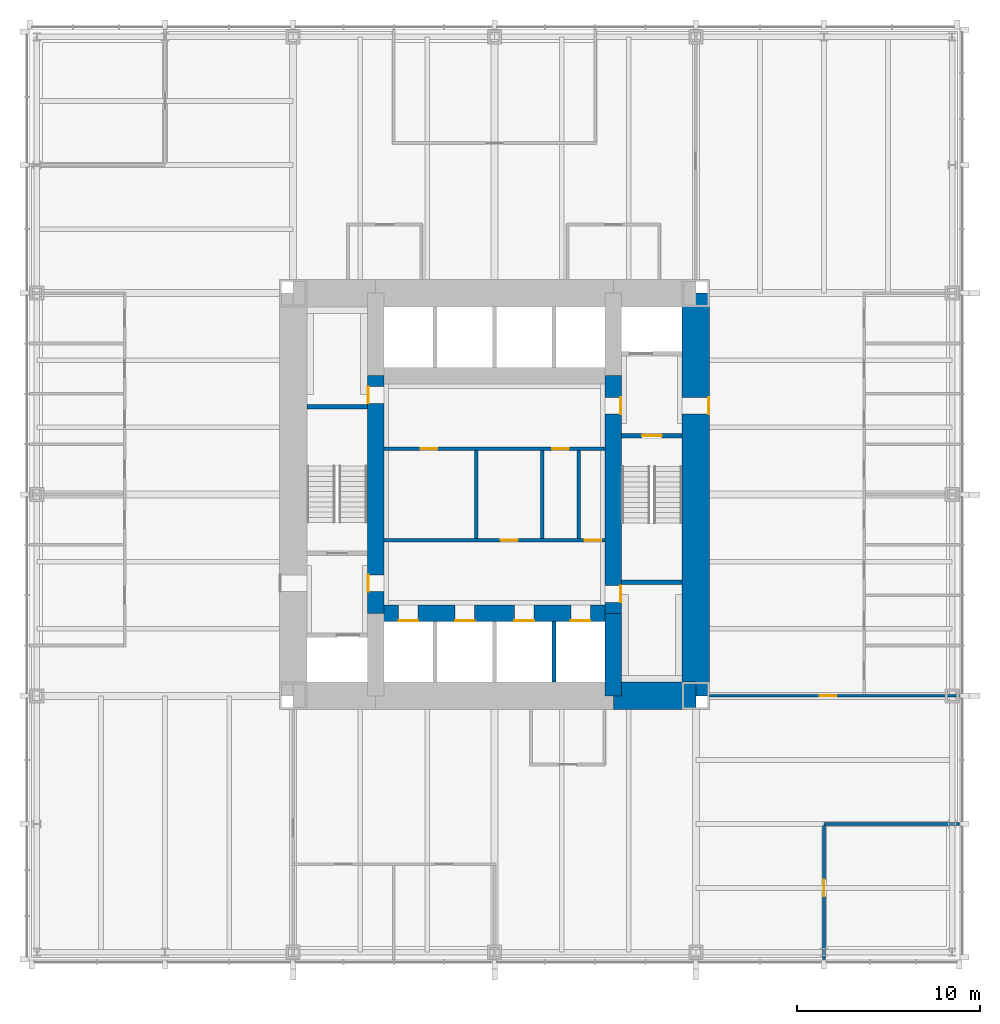
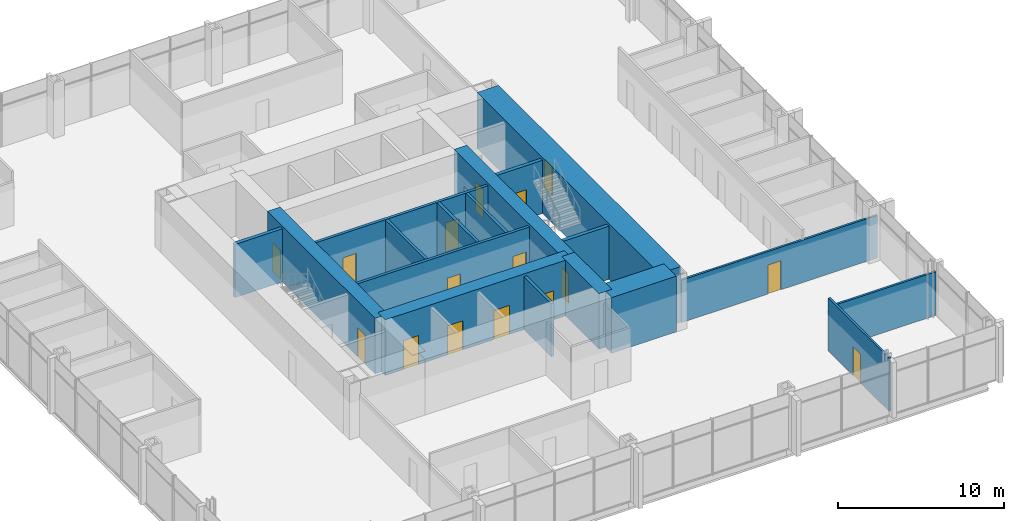
# One storey, part 10 of 13: 18 walls, 16 doors, 16 openings.
"""IFC4 building model written with IfcOpenShell, lengths in metres."""

from ifc_helpers import new_model, si_unit, direction, frame, frame_2d, origin, place, context, subcontext, project, spatial, rectangle, extrude, material, layer, layer_set, type_object, element, fill, save


model = new_model("IFC4")

# Units and contexts
model_context = context("Model", 3, precision=1e-05, world=origin(), true_north=direction((0.0, 1.0)))
body_context = subcontext(model_context, "Body", "Model", "MODEL_VIEW")
ifc_project = project(units=[si_unit("LENGTHUNIT", "METRE"), si_unit("AREAUNIT", "SQUARE_METRE"), si_unit("VOLUMEUNIT", "CUBIC_METRE"), si_unit("PLANEANGLEUNIT", "RADIAN"), si_unit("MASSUNIT", "GRAM", prefix="KILO")], contexts=[model_context])

# Site, building, storey
site_placement = place(None, origin())
site = spatial("IfcSite", under=ifc_project, at=site_placement, CompositionType="ELEMENT")
building_placement = place(site_placement, origin())
building = spatial("IfcBuilding", under=site, at=building_placement, Name="Trevanion Tower", CompositionType="ELEMENT")
storey_placement = place(building_placement, frame((0.0, 0.0, 81.60009765625)))
storey = spatial("IfcBuildingStorey", under=building, at=storey_placement, Name="L19", CompositionType="ELEMENT", Elevation=81.60009765625)

# Wall, opening, door
ifc_material_1 = material(Name="Concrete 10,000 psi", Category="concrete")
ifc_layer_1 = layer(ifc_material_1, 1.5)
ifc_layer_set_1 = layer_set([ifc_layer_1], Name="CW1 core wall 1500")
wall_type_1 = type_object("IfcWallType", Name="CW1 core wall 1500", PredefinedType="SHEAR", material=ifc_layer_set_1)
wall_1_placement = place(storey_placement, frame((11.0, -11.0, 0.0), z_axis=(0.0, 0.0, 1.0), x_axis=(0.0, 1.0, 0.0)))
wall_1 = element("IfcWall", 1, at=wall_1_placement, inside=storey, type_object=wall_type_1, Name="CW1 CE L19", PredefinedType="SHEAR", context=body_context, shape_type="SweptSolid", body=[
    extrude(rectangle(XDim=22.0, YDim=1.5, at=frame_2d((11.0, 0.0))), origin(), (0.0, 0.0, 1.0), 4.099853515625),
])
opening_1_placement = place(wall_1_placement, frame((15.392578125, 0.0, 0.0)))
opening_1 = element("IfcOpeningElement", 2, at=opening_1_placement, cuts=wall_1, Name="Opening 19-001", PredefinedType="OPENING", context=body_context, shape_type="SweptSolid", body=[
    extrude(rectangle(XDim=0.9150390625, YDim=2.134033203125, at=frame_2d((0.45751953125, 1.06689453125))), frame((0.0, 0.760009765625, 0.0), z_axis=(0.0, -1.0, 0.0), x_axis=(1.0, 0.0, 0.0)), (0.0, 0.0, 1.0), 1.52001953125),
])
ifc_material_2 = material(Name="Hollow metal, fire rated", Category="steel")
door_type_1 = type_object("IfcDoorType", Name="D3 fire lift lobby door", OperationType="SINGLE_SWING_RIGHT", PredefinedType="DOOR", material=ifc_material_2)
door_1_placement = place(opening_1_placement, origin())
door_1 = element("IfcDoor", 3, at=door_1_placement, inside=storey, type_object=door_type_1, Name="Door 19-001", OperationType="SINGLE_SWING_RIGHT", OverallHeight=2.134033203125, OverallWidth=0.9150390625, PredefinedType="DOOR", context=body_context, shape_type="SweptSolid", body=[
    extrude(rectangle(XDim=0.9150390625, YDim=2.134033203125, at=frame_2d((0.45751953125, 1.06689453125))), frame((0.0, -0.6748046875, 0.0), z_axis=(0.0, -1.0, 0.0), x_axis=(1.0, 0.0, 0.0)), (0.0, 0.0, 1.0), 0.050048828125),
])
fill(opening_1, door_1)

# Walls
wall_2_placement = place(storey_placement, frame((6.5, -11.0, 0.0), z_axis=(0.0, 0.0, 1.0), x_axis=(1.0, 0.0, 0.0)))
element("IfcWall", 4, at=wall_2_placement, inside=storey, type_object=wall_type_1, Name="CW1 CS3 L19", PredefinedType="SHEAR", context=body_context, shape_type="SweptSolid", body=[
    extrude(rectangle(XDim=4.5, YDim=1.5, at=frame_2d((2.25, 0.0))), origin(), (0.0, 0.0, 1.0), 4.099853515625),
])
ifc_material_3 = material(Name="Concrete 10,000 psi", Category="concrete")
ifc_layer_2 = layer(ifc_material_3, 0.89990234375)
ifc_layer_set_2 = layer_set([ifc_layer_2], Name="CW2 core wall 900")
wall_type_2 = type_object("IfcWallType", Name="CW2 core wall 900", PredefinedType="SHEAR", material=ifc_layer_set_2)
wall_3_placement = place(storey_placement, frame((6.5, -11.0, 0.0), z_axis=(0.0, 0.0, 1.0), x_axis=(0.0, 1.0, 0.0)))
element("IfcWall", 5, at=wall_3_placement, inside=storey, type_object=wall_type_2, Name="CW2 RE1 L19", PredefinedType="SHEAR", context=body_context, shape_type="SweptSolid", body=[
    extrude(rectangle(XDim=4.5, YDim=0.89990234375, at=frame_2d((2.25, 0.0))), origin(), (0.0, 0.0, 1.0), 4.099853515625),
])

# Wall, openings, doors
wall_4_placement = place(storey_placement, frame((6.5, -6.5, 0.0), z_axis=(0.0, 0.0, 1.0), x_axis=(0.0, 1.0, 0.0)))
wall_4 = element("IfcWall", 6, at=wall_4_placement, inside=storey, type_object=wall_type_2, Name="CW2 RE2 L19", PredefinedType="SHEAR", context=body_context, shape_type="SweptSolid", body=[
    extrude(rectangle(XDim=13.0, YDim=0.89990234375, at=frame_2d((6.5, 0.0))), origin(), (0.0, 0.0, 1.0), 4.099853515625),
])
opening_2_placement = place(wall_4_placement, frame((10.892578125, 0.0, 0.0)))
opening_2 = element("IfcOpeningElement", 7, at=opening_2_placement, cuts=wall_4, Name="Opening 19-003", PredefinedType="OPENING", context=body_context, shape_type="SweptSolid", body=[
    extrude(rectangle(XDim=0.9150390625, YDim=2.134033203125, at=frame_2d((0.45751953125, 1.06689453125))), frame((0.0, 0.4599609375, 0.0), z_axis=(0.0, -1.0, 0.0), x_axis=(1.0, 0.0, 0.0)), (0.0, 0.0, 1.0), 0.919921875),
])
opening_3_placement = place(wall_4_placement, frame((0.610107421875, 0.0, 0.0)))
opening_3 = element("IfcOpeningElement", 8, at=opening_3_placement, cuts=wall_4, Name="Opening 19-009", PredefinedType="OPENING", context=body_context, shape_type="SweptSolid", body=[
    extrude(rectangle(XDim=0.9150390625, YDim=2.134033203125, at=frame_2d((0.45751953125, 1.06689453125))), frame((0.0, 0.4599609375, 0.0), z_axis=(0.0, -1.0, 0.0), x_axis=(1.0, 0.0, 0.0)), (0.0, 0.0, 1.0), 0.919921875),
])
door_2_placement = place(opening_2_placement, origin())
door_2 = element("IfcDoor", 9, at=door_2_placement, inside=storey, type_object=door_type_1, Name="Door 19-003", OperationType="SINGLE_SWING_RIGHT", OverallHeight=2.134033203125, OverallWidth=0.9150390625, PredefinedType="DOOR", context=body_context, shape_type="SweptSolid", body=[
    extrude(rectangle(XDim=0.9150390625, YDim=2.134033203125, at=frame_2d((0.45751953125, 1.06689453125))), frame((0.0, -0.375, 0.0), z_axis=(0.0, -1.0, 0.0), x_axis=(1.0, 0.0, 0.0)), (0.0, 0.0, 1.0), 0.050048828125),
])
fill(opening_2, door_2)
ifc_material_4 = material(Name="Hollow metal, fire rated", Category="steel")
door_type_2 = type_object("IfcDoorType", Name="D5 service room door", OperationType="SINGLE_SWING_RIGHT", PredefinedType="DOOR", material=ifc_material_4)
door_3_placement = place(opening_3_placement, origin())
door_3 = element("IfcDoor", 10, at=door_3_placement, inside=storey, type_object=door_type_2, Name="Door 19-009", OperationType="SINGLE_SWING_RIGHT", OverallHeight=2.134033203125, OverallWidth=0.9150390625, PredefinedType="DOOR", context=body_context, shape_type="SweptSolid", body=[
    extrude(rectangle(XDim=0.9150390625, YDim=2.134033203125, at=frame_2d((0.45751953125, 1.06689453125))), frame((0.0, -0.375, 0.0), z_axis=(0.0, -1.0, 0.0), x_axis=(1.0, 0.0, 0.0)), (0.0, 0.0, 1.0), 0.050048828125),
])
fill(opening_3, door_3)

wall_5_placement = place(storey_placement, frame((-6.5, 6.5, 0.0), z_axis=(0.0, 0.0, 1.0), x_axis=(0.0, -1.0, 0.0)))
wall_5 = element("IfcWall", 11, at=wall_5_placement, inside=storey, type_object=wall_type_2, Name="CW2 RW2 L19", PredefinedType="SHEAR", context=body_context, shape_type="SweptSolid", body=[
    extrude(rectangle(XDim=13.0, YDim=0.89990234375, at=frame_2d((6.5, 0.0))), origin(), (0.0, 0.0, 1.0), 4.099853515625),
])
opening_4_placement = place(wall_5_placement, frame((10.892578125, 0.0, 0.0)))
opening_4 = element("IfcOpeningElement", 12, at=opening_4_placement, cuts=wall_5, Name="Opening 19-004", PredefinedType="OPENING", context=body_context, shape_type="SweptSolid", body=[
    extrude(rectangle(XDim=0.9150390625, YDim=2.134033203125, at=frame_2d((0.45751953125, 1.06689453125))), frame((0.0, 0.4599609375, 0.0), z_axis=(0.0, -1.0, 0.0), x_axis=(1.0, 0.0, 0.0)), (0.0, 0.0, 1.0), 0.919921875),
])
opening_5_placement = place(wall_5_placement, frame((0.610107421875, 0.0, 0.0)))
opening_5 = element("IfcOpeningElement", 13, at=opening_5_placement, cuts=wall_5, Name="Opening 19-010", PredefinedType="OPENING", context=body_context, shape_type="SweptSolid", body=[
    extrude(rectangle(XDim=0.9150390625, YDim=2.134033203125, at=frame_2d((0.45751953125, 1.06689453125))), frame((0.0, 0.4599609375, 0.0), z_axis=(0.0, -1.0, 0.0), x_axis=(1.0, 0.0, 0.0)), (0.0, 0.0, 1.0), 0.919921875),
])
door_4_placement = place(opening_4_placement, origin())
door_4 = element("IfcDoor", 14, at=door_4_placement, inside=storey, type_object=door_type_1, Name="Door 19-004", OperationType="SINGLE_SWING_RIGHT", OverallHeight=2.134033203125, OverallWidth=0.9150390625, PredefinedType="DOOR", context=body_context, shape_type="SweptSolid", body=[
    extrude(rectangle(XDim=0.9150390625, YDim=2.134033203125, at=frame_2d((0.45751953125, 1.06689453125))), frame((0.0, -0.375, 0.0), z_axis=(0.0, -1.0, 0.0), x_axis=(1.0, 0.0, 0.0)), (0.0, 0.0, 1.0), 0.050048828125),
])
fill(opening_4, door_4)
door_5_placement = place(opening_5_placement, origin())
door_5 = element("IfcDoor", 15, at=door_5_placement, inside=storey, type_object=door_type_2, Name="Door 19-010", OperationType="SINGLE_SWING_RIGHT", OverallHeight=2.134033203125, OverallWidth=0.9150390625, PredefinedType="DOOR", context=body_context, shape_type="SweptSolid", body=[
    extrude(rectangle(XDim=0.9150390625, YDim=2.134033203125, at=frame_2d((0.45751953125, 1.06689453125))), frame((0.0, -0.375, 0.0), z_axis=(0.0, -1.0, 0.0), x_axis=(1.0, 0.0, 0.0)), (0.0, 0.0, 1.0), 0.050048828125),
])
fill(opening_5, door_5)

wall_6_placement = place(storey_placement, frame((-6.5, -6.5, 0.0), z_axis=(0.0, 0.0, 1.0), x_axis=(1.0, 0.0, 0.0)))
wall_6 = element("IfcWall", 16, at=wall_6_placement, inside=storey, type_object=wall_type_2, Name="CW2 RS L19", PredefinedType="SHEAR", context=body_context, shape_type="SweptSolid", body=[
    extrude(rectangle(XDim=13.0, YDim=0.89990234375, at=frame_2d((6.5, 0.0))), origin(), (0.0, 0.0, 1.0), 4.099853515625),
])
opening_6_placement = place(wall_6_placement, frame((1.2666015625, 0.0, 0.0)))
opening_6 = element("IfcOpeningElement", 17, at=opening_6_placement, cuts=wall_6, Name="Opening 19-011", PredefinedType="OPENING", context=body_context, shape_type="SweptSolid", body=[
    extrude(rectangle(XDim=1.06689453125, YDim=2.134033203125, at=frame_2d((0.533447265625, 1.06689453125))), frame((0.0, 0.4599609375, 0.0), z_axis=(0.0, -1.0, 0.0), x_axis=(1.0, 0.0, 0.0)), (0.0, 0.0, 1.0), 0.919921875),
])
opening_7_placement = place(wall_6_placement, frame((4.341552734375, 0.0, 0.0)))
opening_7 = element("IfcOpeningElement", 18, at=opening_7_placement, cuts=wall_6, Name="Opening 19-012", PredefinedType="OPENING", context=body_context, shape_type="SweptSolid", body=[
    extrude(rectangle(XDim=1.06689453125, YDim=2.134033203125, at=frame_2d((0.533447265625, 1.06689453125))), frame((0.0, 0.4599609375, 0.0), z_axis=(0.0, -1.0, 0.0), x_axis=(1.0, 0.0, 0.0)), (0.0, 0.0, 1.0), 0.919921875),
])
opening_8_placement = place(wall_6_placement, frame((7.591552734375, 0.0, 0.0)))
opening_8 = element("IfcOpeningElement", 19, at=opening_8_placement, cuts=wall_6, Name="Opening 19-013", PredefinedType="OPENING", context=body_context, shape_type="SweptSolid", body=[
    extrude(rectangle(XDim=1.06689453125, YDim=2.134033203125, at=frame_2d((0.533447265625, 1.06689453125))), frame((0.0, 0.4599609375, 0.0), z_axis=(0.0, -1.0, 0.0), x_axis=(1.0, 0.0, 0.0)), (0.0, 0.0, 1.0), 0.919921875),
])
opening_9_placement = place(wall_6_placement, frame((10.66650390625, 0.0, 0.0)))
opening_9 = element("IfcOpeningElement", 20, at=opening_9_placement, cuts=wall_6, Name="Opening 19-014", PredefinedType="OPENING", context=body_context, shape_type="SweptSolid", body=[
    extrude(rectangle(XDim=1.06689453125, YDim=2.134033203125, at=frame_2d((0.533447265625, 1.06689453125))), frame((0.0, 0.4599609375, 0.0), z_axis=(0.0, -1.0, 0.0), x_axis=(1.0, 0.0, 0.0)), (0.0, 0.0, 1.0), 0.919921875),
])
ifc_material_5 = material(Name="Stainless steel, fire rated", Category="steel")
door_type_3 = type_object("IfcDoorType", Name="LD1 lift landing door", OperationType="SLIDING_TO_LEFT", PredefinedType="DOOR", material=ifc_material_5)
door_6_placement = place(opening_6_placement, origin())
door_6 = element("IfcDoor", 21, at=door_6_placement, inside=storey, type_object=door_type_3, Name="Door 19-011", OperationType="SLIDING_TO_LEFT", OverallHeight=2.134033203125, OverallWidth=1.06689453125, PredefinedType="DOOR", context=body_context, shape_type="SweptSolid", body=[
    extrude(rectangle(XDim=1.06689453125, YDim=2.134033203125, at=frame_2d((0.533447265625, 1.06689453125))), frame((0.0, -0.375, 0.0), z_axis=(0.0, -1.0, 0.0), x_axis=(1.0, 0.0, 0.0)), (0.0, 0.0, 1.0), 0.050048828125),
])
fill(opening_6, door_6)
door_7_placement = place(opening_7_placement, origin())
door_7 = element("IfcDoor", 22, at=door_7_placement, inside=storey, type_object=door_type_3, Name="Door 19-012", OperationType="SLIDING_TO_LEFT", OverallHeight=2.134033203125, OverallWidth=1.06689453125, PredefinedType="DOOR", context=body_context, shape_type="SweptSolid", body=[
    extrude(rectangle(XDim=1.06689453125, YDim=2.134033203125, at=frame_2d((0.533447265625, 1.06689453125))), frame((0.0, -0.375, 0.0), z_axis=(0.0, -1.0, 0.0), x_axis=(1.0, 0.0, 0.0)), (0.0, 0.0, 1.0), 0.050048828125),
])
fill(opening_7, door_7)
door_8_placement = place(opening_8_placement, origin())
door_8 = element("IfcDoor", 23, at=door_8_placement, inside=storey, type_object=door_type_3, Name="Door 19-013", OperationType="SLIDING_TO_LEFT", OverallHeight=2.134033203125, OverallWidth=1.06689453125, PredefinedType="DOOR", context=body_context, shape_type="SweptSolid", body=[
    extrude(rectangle(XDim=1.06689453125, YDim=2.134033203125, at=frame_2d((0.533447265625, 1.06689453125))), frame((0.0, -0.375, 0.0), z_axis=(0.0, -1.0, 0.0), x_axis=(1.0, 0.0, 0.0)), (0.0, 0.0, 1.0), 0.050048828125),
])
fill(opening_8, door_8)
door_9_placement = place(opening_9_placement, origin())
door_9 = element("IfcDoor", 24, at=door_9_placement, inside=storey, type_object=door_type_3, Name="Door 19-014", OperationType="SLIDING_TO_LEFT", OverallHeight=2.134033203125, OverallWidth=1.06689453125, PredefinedType="DOOR", context=body_context, shape_type="SweptSolid", body=[
    extrude(rectangle(XDim=1.06689453125, YDim=2.134033203125, at=frame_2d((0.533447265625, 1.06689453125))), frame((0.0, -0.375, 0.0), z_axis=(0.0, -1.0, 0.0), x_axis=(1.0, 0.0, 0.0)), (0.0, 0.0, 1.0), 0.050048828125),
])
fill(opening_9, door_9)

# Wall, opening, door
ifc_material_6 = material(Name="Gypsum board on steel studs", Category="steel")
ifc_layer_3 = layer(ifc_material_6, 0.14990234375)
ifc_layer_set_3 = layer_set([ifc_layer_3], Name="PT1 partition 150")
wall_type_3 = type_object("IfcWallType", Name="PT1 partition 150", PredefinedType="PARTITIONING", material=ifc_layer_set_3)
wall_7_placement = place(storey_placement, frame((11.75, -11.0, 0.0), z_axis=(0.0, 0.0, 1.0), x_axis=(1.0, 0.0, 0.0)))
wall_7 = element("IfcWall", 25, at=wall_7_placement, inside=storey, type_object=wall_type_3, Name="PT1 L19 ZW3", PredefinedType="PARTITIONING", context=body_context, shape_type="SweptSolid", body=[
    extrude(rectangle(XDim=13.6650390625, YDim=0.14990234375, at=frame_2d((6.83251953125, 0.0))), origin(), (0.0, 0.0, 1.0), 3.130126953125),
])
opening_10_placement = place(wall_7_placement, frame((6.017578125, 0.0, 0.0)))
opening_10 = element("IfcOpeningElement", 26, at=opening_10_placement, cuts=wall_7, Name="Opening 19-021", PredefinedType="OPENING", context=body_context, shape_type="SweptSolid", body=[
    extrude(rectangle(XDim=0.9150390625, YDim=2.134033203125, at=frame_2d((0.45751953125, 1.06689453125))), frame((0.0, 0.0849609375, 0.0), z_axis=(0.0, -1.0, 0.0), x_axis=(1.0, 0.0, 0.0)), (0.0, 0.0, 1.0), 0.169921875),
])
ifc_material_7 = material(Name="Timber veneer, solid core", Category="wood")
door_type_4 = type_object("IfcDoorType", Name="D1 office and meeting room door", OperationType="SINGLE_SWING_LEFT", PredefinedType="DOOR", material=ifc_material_7)
door_10_placement = place(opening_10_placement, origin())
door_10 = element("IfcDoor", 27, at=door_10_placement, inside=storey, type_object=door_type_4, Name="Door 19-021", OperationType="SINGLE_SWING_LEFT", OverallHeight=2.134033203125, OverallWidth=0.9150390625, PredefinedType="DOOR", context=body_context, shape_type="SweptSolid", body=[
    extrude(rectangle(XDim=0.9150390625, YDim=2.134033203125, at=frame_2d((0.45751953125, 1.06689453125))), frame((0.0, 0.02490234375, 0.0), z_axis=(0.0, -1.0, 0.0), x_axis=(1.0, 0.0, 0.0)), (0.0, 0.0, 1.0), 0.050048828125),
])
fill(opening_10, door_10)

# Wall
wall_8_placement = place(storey_placement, frame((18.0, -18.0, 0.0), z_axis=(0.0, 0.0, 1.0), x_axis=(1.0, 0.0, 0.0)))
element("IfcWall", 28, at=wall_8_placement, inside=storey, type_object=wall_type_3, Name="PT1 L19 KW3a", PredefinedType="PARTITIONING", context=body_context, shape_type="SweptSolid", body=[
    extrude(rectangle(XDim=7.4150390625, YDim=0.14990234375, at=frame_2d((3.70751953125, 0.0))), origin(), (0.0, 0.0, 1.0), 3.216552734375),
])

# Wall, opening, door
wall_9_placement = place(storey_placement, frame((18.0, -18.074951171875, 0.0), z_axis=(0.0, 0.0, 1.0), x_axis=(0.0, -1.0, 0.0)))
wall_9 = element("IfcWall", 29, at=wall_9_placement, inside=storey, type_object=wall_type_3, Name="PT1 L19 KW3b", PredefinedType="PARTITIONING", context=body_context, shape_type="SweptSolid", body=[
    extrude(rectangle(XDim=7.340087890625, YDim=0.14990234375, at=frame_2d((3.669921875, 0.0))), origin(), (0.0, 0.0, 1.0), 3.909912109375),
])
opening_11_placement = place(wall_9_placement, frame((2.967529296875, 0.0, 0.0)))
opening_11 = element("IfcOpeningElement", 30, at=opening_11_placement, cuts=wall_9, Name="Opening 19-023", PredefinedType="OPENING", context=body_context, shape_type="SweptSolid", body=[
    extrude(rectangle(XDim=0.9150390625, YDim=2.134033203125, at=frame_2d((0.45751953125, 1.06689453125))), frame((0.0, 0.0849609375, 0.0), z_axis=(0.0, -1.0, 0.0), x_axis=(1.0, 0.0, 0.0)), (0.0, 0.0, 1.0), 0.169921875),
])
door_11_placement = place(opening_11_placement, origin())
door_11 = element("IfcDoor", 31, at=door_11_placement, inside=storey, type_object=door_type_4, Name="Door 19-023", OperationType="SINGLE_SWING_LEFT", OverallHeight=2.134033203125, OverallWidth=0.9150390625, PredefinedType="DOOR", context=body_context, shape_type="SweptSolid", body=[
    extrude(rectangle(XDim=0.9150390625, YDim=2.134033203125, at=frame_2d((0.45751953125, 1.06689453125))), frame((0.0, 0.02490234375, 0.0), z_axis=(0.0, -1.0, 0.0), x_axis=(1.0, 0.0, 0.0)), (0.0, 0.0, 1.0), 0.050048828125),
])
fill(opening_11, door_11)

# Walls
ifc_material_8 = material(Name="Concrete masonry, grouted", Category="masonry")
ifc_layer_4 = layer(ifc_material_8, 0.199951171875)
ifc_layer_set_4 = layer_set([ifc_layer_4], Name="PT2 partition 200")
wall_type_4 = type_object("IfcWallType", Name="PT2 partition 200", PredefinedType="PARTITIONING", material=ifc_layer_set_4)
for number, where, z_axis, x_axis, name in (
    (32, (-1.0, -2.39990234375, 0.0), (0.0, 0.0, 1.0), (0.0, 1.0, 0.0), "PT2 L19 TP1"),
    (33, (2.60009765625, -2.39990234375, 0.0), (0.0, 0.0, 1.0), (0.0, 1.0, 0.0), "PT2 L19 TP2"),
    (34, (4.60009765625, -2.39990234375, 0.0), (0.0, 0.0, 1.0), (0.0, 1.0, 0.0), "PT2 L19 TP3"),
):
    element("IfcWall", number, at=place(storey_placement, frame(where, z_axis=z_axis, x_axis=x_axis)), inside=storey, type_object=wall_type_4, Name=name, PredefinedType="PARTITIONING", context=body_context, shape_type="SweptSolid", body=[
        extrude(rectangle(XDim=4.7998046875, YDim=0.199951171875, at=frame_2d((2.39990234375, 0.0))), origin(), (0.0, 0.0, 1.0), 3.909912109375),
    ])

# Wall, openings, doors
ifc_material_9 = material(Name="Concrete masonry, grouted", Category="masonry")
ifc_layer_5 = layer(ifc_material_9, 0.199951171875)
ifc_layer_set_5 = layer_set([ifc_layer_5], Name="PT2 partition 200 1 HR")
wall_type_5 = type_object("IfcWallType", Name="PT2 partition 200 1 HR", PredefinedType="PARTITIONING", material=ifc_layer_set_5)
wall_10_placement = place(storey_placement, frame((-6.050048828125, 2.5, 0.0), z_axis=(0.0, 0.0, 1.0), x_axis=(1.0, 0.0, 0.0)))
wall_10 = element("IfcWall", 35, at=wall_10_placement, inside=storey, type_object=wall_type_5, Name="PT2 L19 CP1", PredefinedType="PARTITIONING", context=body_context, shape_type="SweptSolid", body=[
    extrude(rectangle(XDim=12.10009765625, YDim=0.199951171875, at=frame_2d((6.050048828125, 0.0))), origin(), (0.0, 0.0, 1.0), 3.909912109375),
])
opening_12_placement = place(wall_10_placement, frame((2.017578125, 0.0, 0.0)))
opening_12 = element("IfcOpeningElement", 36, at=opening_12_placement, cuts=wall_10, Name="Opening 19-015", PredefinedType="OPENING", context=body_context, shape_type="SweptSolid", body=[
    extrude(rectangle(XDim=0.9150390625, YDim=2.134033203125, at=frame_2d((0.45751953125, 1.06689453125))), frame((0.0, 0.10986328125, 0.0), z_axis=(0.0, -1.0, 0.0), x_axis=(1.0, 0.0, 0.0)), (0.0, 0.0, 1.0), 0.219970703125),
])
opening_13_placement = place(wall_10_placement, frame((9.1923828125, 0.0, 0.0)))
opening_13 = element("IfcOpeningElement", 37, at=opening_13_placement, cuts=wall_10, Name="Opening 19-017", PredefinedType="OPENING", context=body_context, shape_type="SweptSolid", body=[
    extrude(rectangle(XDim=0.9150390625, YDim=2.134033203125, at=frame_2d((0.45751953125, 1.06689453125))), frame((0.0, 0.10986328125, 0.0), z_axis=(0.0, -1.0, 0.0), x_axis=(1.0, 0.0, 0.0)), (0.0, 0.0, 1.0), 0.219970703125),
])
ifc_material_10 = material(Name="Plastic laminate on fire-rated core", Category="wood")
door_type_5 = type_object("IfcDoorType", Name="D12 toilet door in a one hour wall", OperationType="SINGLE_SWING_LEFT", PredefinedType="DOOR", material=ifc_material_10)
door_12_placement = place(opening_12_placement, origin())
door_12 = element("IfcDoor", 38, at=door_12_placement, inside=storey, type_object=door_type_5, Name="Door 19-015", OperationType="SINGLE_SWING_LEFT", OverallHeight=2.134033203125, OverallWidth=0.9150390625, PredefinedType="DOOR", context=body_context, shape_type="SweptSolid", body=[
    extrude(rectangle(XDim=0.9150390625, YDim=2.134033203125, at=frame_2d((0.45751953125, 1.06689453125))), frame((0.0, 0.02490234375, 0.0), z_axis=(0.0, -1.0, 0.0), x_axis=(1.0, 0.0, 0.0)), (0.0, 0.0, 1.0), 0.050048828125),
])
fill(opening_12, door_12)
door_13_placement = place(opening_13_placement, origin())
door_13 = element("IfcDoor", 39, at=door_13_placement, inside=storey, type_object=door_type_5, Name="Door 19-017", OperationType="SINGLE_SWING_LEFT", OverallHeight=2.134033203125, OverallWidth=0.9150390625, PredefinedType="DOOR", context=body_context, shape_type="SweptSolid", body=[
    extrude(rectangle(XDim=0.9150390625, YDim=2.134033203125, at=frame_2d((0.45751953125, 1.06689453125))), frame((0.0, 0.02490234375, 0.0), z_axis=(0.0, -1.0, 0.0), x_axis=(1.0, 0.0, 0.0)), (0.0, 0.0, 1.0), 0.050048828125),
])
fill(opening_13, door_13)

wall_11_placement = place(storey_placement, frame((6.050048828125, -2.5, 0.0), z_axis=(0.0, 0.0, 1.0), x_axis=(-1.0, 0.0, 0.0)))
wall_11 = element("IfcWall", 40, at=wall_11_placement, inside=storey, type_object=wall_type_5, Name="PT2 L19 CP2", PredefinedType="PARTITIONING", context=body_context, shape_type="SweptSolid", body=[
    extrude(rectangle(XDim=12.10009765625, YDim=0.199951171875, at=frame_2d((6.050048828125, 0.0))), origin(), (0.0, 0.0, 1.0), 3.909912109375),
])
opening_14_placement = place(wall_11_placement, frame((4.79248046875, 0.0, 0.0)))
opening_14 = element("IfcOpeningElement", 41, at=opening_14_placement, cuts=wall_11, Name="Opening 19-016", PredefinedType="OPENING", context=body_context, shape_type="SweptSolid", body=[
    extrude(rectangle(XDim=0.9150390625, YDim=2.134033203125, at=frame_2d((0.45751953125, 1.06689453125))), frame((0.0, 0.10986328125, 0.0), z_axis=(0.0, -1.0, 0.0), x_axis=(1.0, 0.0, 0.0)), (0.0, 0.0, 1.0), 0.219970703125),
])
opening_15_placement = place(wall_11_placement, frame((0.217529296875, 0.0, 0.0)))
opening_15 = element("IfcOpeningElement", 42, at=opening_15_placement, cuts=wall_11, Name="Opening 19-018", PredefinedType="OPENING", context=body_context, shape_type="SweptSolid", body=[
    extrude(rectangle(XDim=0.9150390625, YDim=2.134033203125, at=frame_2d((0.45751953125, 1.06689453125))), frame((0.0, 0.10986328125, 0.0), z_axis=(0.0, -1.0, 0.0), x_axis=(1.0, 0.0, 0.0)), (0.0, 0.0, 1.0), 0.219970703125),
])
door_14_placement = place(opening_14_placement, origin())
door_14 = element("IfcDoor", 43, at=door_14_placement, inside=storey, type_object=door_type_5, Name="Door 19-016", OperationType="SINGLE_SWING_LEFT", OverallHeight=2.134033203125, OverallWidth=0.9150390625, PredefinedType="DOOR", context=body_context, shape_type="SweptSolid", body=[
    extrude(rectangle(XDim=0.9150390625, YDim=2.134033203125, at=frame_2d((0.45751953125, 1.06689453125))), frame((0.0, 0.02490234375, 0.0), z_axis=(0.0, -1.0, 0.0), x_axis=(1.0, 0.0, 0.0)), (0.0, 0.0, 1.0), 0.050048828125),
])
fill(opening_14, door_14)
door_15_placement = place(opening_15_placement, origin())
door_15 = element("IfcDoor", 44, at=door_15_placement, inside=storey, type_object=door_type_5, Name="Door 19-018", OperationType="SINGLE_SWING_LEFT", OverallHeight=2.134033203125, OverallWidth=0.9150390625, PredefinedType="DOOR", context=body_context, shape_type="SweptSolid", body=[
    extrude(rectangle(XDim=0.9150390625, YDim=2.134033203125, at=frame_2d((0.45751953125, 1.06689453125))), frame((0.0, 0.02490234375, 0.0), z_axis=(0.0, -1.0, 0.0), x_axis=(1.0, 0.0, 0.0)), (0.0, 0.0, 1.0), 0.050048828125),
])
fill(opening_15, door_15)

# Walls
ifc_material_11 = material(Name="Concrete masonry, grouted", Category="masonry")
ifc_layer_6 = layer(ifc_material_11, 0.199951171875)
ifc_layer_set_6 = layer_set([ifc_layer_6], Name="PT2 partition 200 2 HR")
wall_type_6 = type_object("IfcWallType", Name="PT2 partition 200 2 HR", PredefinedType="PARTITIONING", material=ifc_layer_set_6)
wall_12_placement = place(storey_placement, frame((3.25, -10.25, 0.0), z_axis=(0.0, 0.0, 1.0), x_axis=(0.0, 1.0, 0.0)))
element("IfcWall", 45, at=wall_12_placement, inside=storey, type_object=wall_type_6, Name="PT2 L19 SS2", PredefinedType="PARTITIONING", context=body_context, shape_type="SweptSolid", body=[
    extrude(rectangle(XDim=3.300048828125, YDim=0.199951171875, at=frame_2d((1.64990234375, 0.0))), origin(), (0.0, 0.0, 1.0), 3.909912109375),
])
ifc_material_12 = material(Name="Reinforced masonry, fully grouted", Category="masonry")
ifc_layer_7 = layer(ifc_material_12, 0.25)
ifc_layer_set_7 = layer_set([ifc_layer_7], Name="SW1 stair shaft wall 250")
wall_type_7 = type_object("IfcWallType", Name="SW1 stair shaft wall 250", PredefinedType="SOLIDWALL", material=ifc_layer_set_7)
for number, where, z_axis, x_axis, name in (
    (46, (6.949951171875, -4.800048828125, 0.0), (0.0, 0.0, 1.0), (1.0, 0.0, 0.0), "SW1 L19 EP1"),
    (47, (-6.949951171875, 4.800048828125, 0.0), (0.0, 0.0, 1.0), (-1.0, 0.0, 0.0), "SW1 L19 WP1"),
):
    element("IfcWall", number, at=place(storey_placement, frame(where, z_axis=z_axis, x_axis=x_axis)), inside=storey, type_object=wall_type_7, Name=name, PredefinedType="SOLIDWALL", context=body_context, shape_type="SweptSolid", body=[
        extrude(rectangle(XDim=3.300048828125, YDim=0.25, at=frame_2d((1.64990234375, 0.0))), origin(), (0.0, 0.0, 1.0), 3.909912109375),
    ])

# Wall, opening, door
wall_13_placement = place(storey_placement, frame((6.949951171875, 3.199951171875, 0.0), z_axis=(0.0, 0.0, 1.0), x_axis=(1.0, 0.0, 0.0)))
wall_13 = element("IfcWall", 48, at=wall_13_placement, inside=storey, type_object=wall_type_7, Name="SW1 L19 EP2", PredefinedType="SOLIDWALL", context=body_context, shape_type="SweptSolid", body=[
    extrude(rectangle(XDim=3.300048828125, YDim=0.25, at=frame_2d((1.64990234375, 0.0))), origin(), (0.0, 0.0, 1.0), 3.909912109375),
])
opening_16_placement = place(wall_13_placement, frame((1.116455078125, 0.0, 0.0)))
opening_16 = element("IfcOpeningElement", 49, at=opening_16_placement, cuts=wall_13, Name="Opening 19-005", PredefinedType="OPENING", context=body_context, shape_type="SweptSolid", body=[
    extrude(rectangle(XDim=1.06689453125, YDim=2.134033203125, at=frame_2d((0.533447265625, 1.06689453125))), frame((0.0, 0.135009765625, 0.0), z_axis=(0.0, -1.0, 0.0), x_axis=(1.0, 0.0, 0.0)), (0.0, 0.0, 1.0), 0.27001953125),
])
ifc_material_13 = material(Name="Hollow metal, fire rated", Category="steel")
door_type_6 = type_object("IfcDoorType", Name="D2 exit stair door", OperationType="SINGLE_SWING_LEFT", PredefinedType="DOOR", material=ifc_material_13)
door_16_placement = place(opening_16_placement, origin())
door_16 = element("IfcDoor", 50, at=door_16_placement, inside=storey, type_object=door_type_6, Name="Door 19-005", OperationType="SINGLE_SWING_LEFT", OverallHeight=2.134033203125, OverallWidth=1.06689453125, PredefinedType="DOOR", context=body_context, shape_type="SweptSolid", body=[
    extrude(rectangle(XDim=1.06689453125, YDim=2.134033203125, at=frame_2d((0.533447265625, 1.06689453125))), frame((0.0, 0.02490234375, 0.0), z_axis=(0.0, -1.0, 0.0), x_axis=(1.0, 0.0, 0.0)), (0.0, 0.0, 1.0), 0.050048828125),
])
fill(opening_16, door_16)

save(model, "model.ifc")
